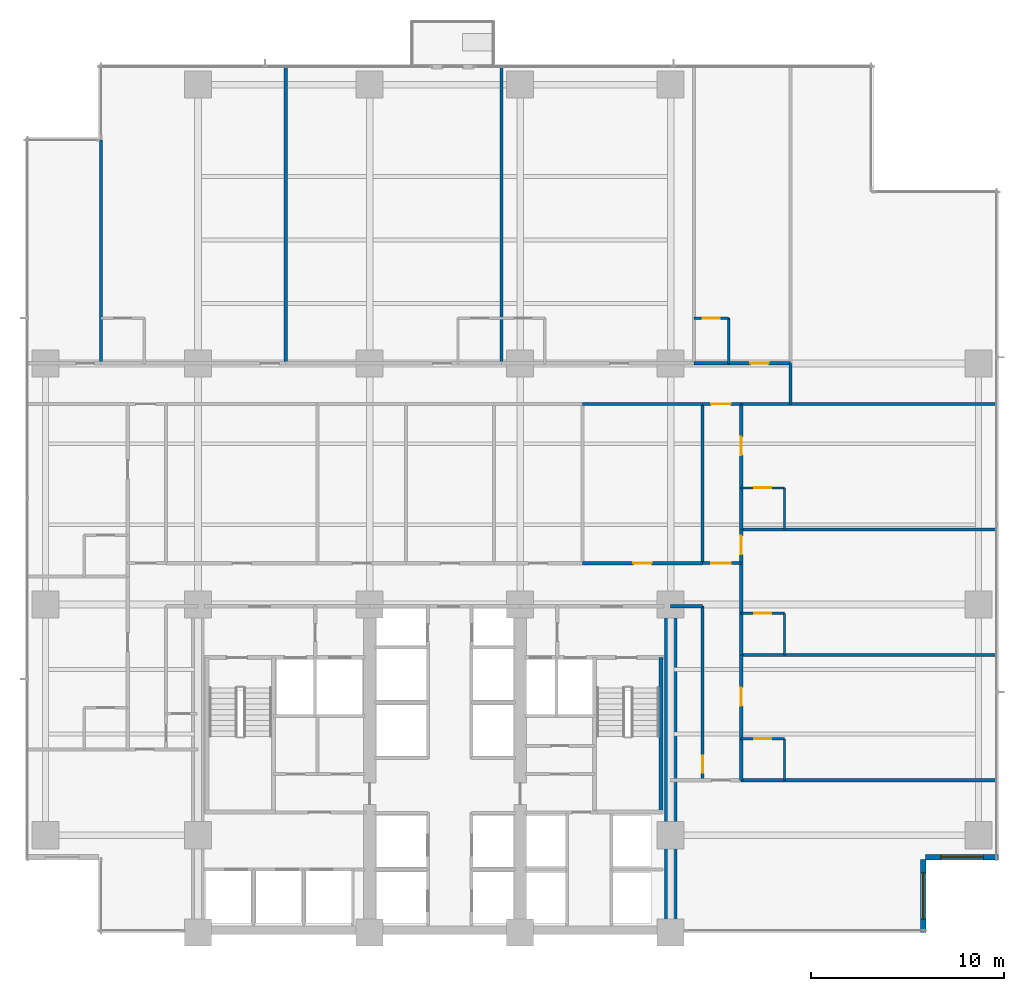
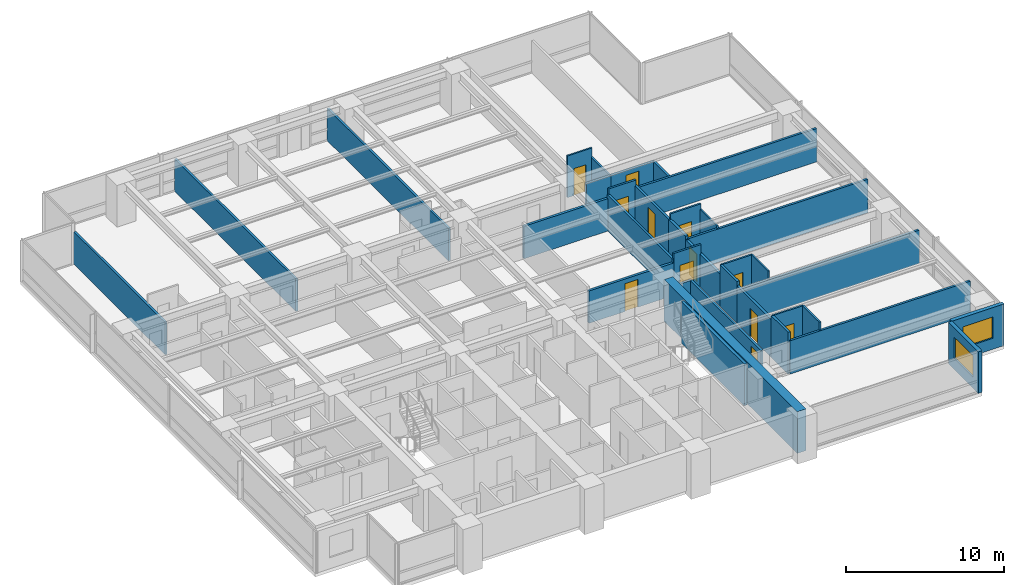
# One storey, part 10 of 17: 35 walls, 12 doors, 2 windows, 14 openings.
"""IFC4 building model written with IfcOpenShell, lengths in metres."""

import ifcopenshell
import ifcopenshell.guid

model = None  # the IFC model being written
_history = None  # IfcOwnerHistory: only IFC2X3 demands one
_inside = {}  # id of a spatial element -> (the spatial element, [elements in it])
_under = {}  # id of a project, library or spatial element -> (it, [spatial elements below it])
_declared = {}  # id of a project -> (the project, [libraries it declares])
_typed = {}  # id of a type object -> (the type object, [elements of that type])
_made_of = {}  # id of a material, layer set ... -> (it, [elements and type objects made of it])


def new_model(schema):
    """Start an empty IFC model of exactly this schema.

    Asked for "IFC4X3", IfcOpenShell would pick the latest addendum, in which some entities
    have other attributes; the version numbers below select the first issue.
    IFC2X3 requires an IfcOwnerHistory on every rooted entity: one is made here for all.
    """
    global model, _history
    if schema == "IFC4X3":
        model = ifcopenshell.file(schema_version=(4, 3, 0, 0))
    else:
        model = ifcopenshell.file(schema=schema)
    _inside.clear()
    _under.clear()
    _declared.clear()
    _typed.clear()
    _made_of.clear()
    _history = None
    if model.schema == "IFC2X3":
        org = make("IfcOrganization", Name="unknown")
        user = make(
            "IfcPersonAndOrganization",
            ThePerson=make("IfcPerson", FamilyName="unknown"),
            TheOrganization=org,
        )
        app = make(
            "IfcApplication",
            ApplicationDeveloper=org,
            Version="unknown",
            ApplicationFullName="unknown",
            ApplicationIdentifier="unknown",
        )
        _history = make(
            "IfcOwnerHistory",
            OwningUser=user,
            OwningApplication=app,
            ChangeAction="ADDED",
            CreationDate=0,
        )
    return model


def make(cls, **values):
    """One entity of the class cls with the attributes given. An attribute that is None is left unset."""
    return model.create_entity(
        cls, **{name: value for name, value in values.items() if value is not None}
    )


def rooted(cls, **values):
    """An entity with a GlobalId (a new one), such as an element, a storey or a relation."""
    return make(cls, GlobalId=ifcopenshell.guid.new(), OwnerHistory=_history, **values)


def si_unit(unit_type, name, prefix=None):
    """IfcSIUnit, for example si_unit("LENGTHUNIT", "METRE", prefix="MILLI")."""
    return make("IfcSIUnit", UnitType=unit_type, Prefix=prefix, Name=name)


def assignment(units):
    """IfcUnitAssignment: the units of a project."""
    return None if units is None else make("IfcUnitAssignment", Units=units)


def point(xyz):
    """IfcCartesianPoint."""
    return None if xyz is None else make("IfcCartesianPoint", Coordinates=xyz)


def direction(xyz):
    """IfcDirection."""
    return None if xyz is None else make("IfcDirection", DirectionRatios=xyz)


def frame(location, z_axis=None, x_axis=None):
    """IfcAxis2Placement3D, a coordinate frame: its origin and axes. An axis left out is left unset."""
    return make(
        "IfcAxis2Placement3D",
        Location=point(location),
        Axis=direction(z_axis),
        RefDirection=direction(x_axis),
    )


def frame_2d(location, x_axis=None):
    """IfcAxis2Placement2D, a coordinate frame in the plane: its origin and x axis."""
    return make(
        "IfcAxis2Placement2D", Location=point(location), RefDirection=direction(x_axis)
    )


def origin():
    """The frame at (0, 0, 0) with its axes left unset."""
    return frame((0.0, 0.0, 0.0))


def place(relative_to, where):
    """IfcLocalPlacement: puts the frame where relative to a parent placement (None: the world)."""
    return make(
        "IfcLocalPlacement", PlacementRelTo=relative_to, RelativePlacement=where
    )


def context(
    kind, dimensions, precision=None, world=None, true_north=None, identifier=None
):
    """IfcGeometricRepresentationContext, for example the 3D "Model" context."""
    return make(
        "IfcGeometricRepresentationContext",
        ContextIdentifier=identifier,
        ContextType=kind,
        CoordinateSpaceDimension=dimensions,
        Precision=precision,
        WorldCoordinateSystem=world,
        TrueNorth=true_north,
    )


def subcontext(parent, identifier, kind, view, scale=None):
    """IfcGeometricRepresentationSubContext, for example "Body" below "Model"."""
    return make(
        "IfcGeometricRepresentationSubContext",
        ContextIdentifier=identifier,
        ContextType=kind,
        ParentContext=parent,
        TargetScale=scale,
        TargetView=view,
    )


def project(units=None, contexts=None):
    """IfcProject with its units and contexts."""
    return rooted(
        "IfcProject",
        Name="project",
        RepresentationContexts=contexts,
        UnitsInContext=assignment(units),
    )


def spatial(cls, under=None, at=None, **own):
    """A site, building, storey or space (cls), placed at a placement, below another one or the project."""
    s = rooted(cls, ObjectPlacement=at, **own)
    if under is not None:
        _under.setdefault(under.id(), (under, []))[1].append(s)
    return s


def profile(cls, at=None, kind="AREA", **sizes):
    """A parametric profile (cls). Its sizes go by their IFC names, for example OverallWidth=200.0."""
    return make(cls, ProfileType=kind, Position=at, **sizes)


def rectangle(**sizes):
    """IfcRectangleProfileDef."""
    return profile("IfcRectangleProfileDef", **sizes)


def extrude(swept, where, along, depth):
    """IfcExtrudedAreaSolid: the profile swept, set in the frame where, extruded along a direction by depth."""
    return make(
        "IfcExtrudedAreaSolid",
        SweptArea=swept,
        Position=where,
        ExtrudedDirection=direction(along),
        Depth=depth,
    )


def shape(context_of_items, identifier, shape_type, items):
    """IfcShapeRepresentation: the items that make up one representation, for example the "Body"."""
    return make(
        "IfcShapeRepresentation",
        ContextOfItems=context_of_items,
        RepresentationIdentifier=identifier,
        RepresentationType=shape_type,
        Items=items,
    )


def material(Name=None, Category=None):
    """IfcMaterial."""
    return make("IfcMaterial", Name=Name, Category=Category)


def layer(
    of_material, thickness, ventilated=None, Name=None, Category=None, Priority=None
):
    """IfcMaterialLayer: one layer of a wall or slab, of a material (None: an air gap)."""
    return make(
        "IfcMaterialLayer",
        Material=of_material,
        LayerThickness=thickness,
        IsVentilated=ventilated,
        Name=Name,
        Category=Category,
        Priority=Priority,
    )


def layer_set(layers, Name=None):
    """IfcMaterialLayerSet."""
    return make("IfcMaterialLayerSet", MaterialLayers=layers, LayerSetName=Name)


def made_of(thing, what):
    """Note that an element or type object is made of a material, layer set ...; save() writes the relation."""
    if what is not None:
        _made_of.setdefault(what.id(), (what, []))[1].append(thing)
    return thing


def type_object(cls, material=None, **own):
    """A type object (cls), such as IfcWallType, which elements share."""
    return made_of(rooted(cls, **own), material)


def element(
    cls,
    number,
    at=None,
    inside=None,
    cuts=None,
    type_object=None,
    material=None,
    context=None,
    identifier="Body",
    shape_type=None,
    held_by="IfcProductDefinitionShape",
    body=None,
    shapes=None,
    **own,
):
    """One element of the class cls, such as IfcWall. Its Tag is "e" and its number.

    at: its placement. inside: the storey or other place that contains it. cuts: it is an
    opening in that element (IfcRelVoidsElement). A single representation is given by context,
    identifier, shape_type and body (its items); several are given by shapes. held_by: the class
    of the entity that holds the representations. save() writes the other relations.
    """
    e = rooted(cls, Tag="e%d" % number, ObjectPlacement=at, **own)
    if body is not None:
        shapes = [shape(context, identifier, shape_type, body)]
    if shapes is not None:
        e.Representation = make(held_by, Representations=shapes)
    if inside is not None:
        _inside.setdefault(inside.id(), (inside, []))[1].append(e)
    if cuts is not None:
        rooted(
            "IfcRelVoidsElement", RelatingBuildingElement=cuts, RelatedOpeningElement=e
        )
    if type_object is not None:
        _typed.setdefault(type_object.id(), (type_object, []))[1].append(e)
    return made_of(e, material)


def fill(opening, filler):
    """IfcRelFillsElement: the door or window that sits in an opening."""
    return rooted(
        "IfcRelFillsElement",
        RelatingOpeningElement=opening,
        RelatedBuildingElement=filler,
    )


def aggregate(whole, parts):
    """IfcRelAggregates: a whole, such as a stair, and the parts it consists of."""
    return rooted("IfcRelAggregates", RelatingObject=whole, RelatedObjects=parts)


def save(model, path):
    """Write the relations noted so far, then the file.

    IfcRelAggregates (storeys below a building ...), IfcRelContainedInSpatialStructure (elements
    in a storey), IfcRelDefinesByType, IfcRelAssociatesMaterial and IfcRelDeclares: one each for
    every whole, place, type object, material and project.
    """
    for whole, parts in _under.values():
        aggregate(whole, parts)
    for where, things in _inside.values():
        rooted(
            "IfcRelContainedInSpatialStructure",
            RelatedElements=things,
            RelatingStructure=where,
        )
    for kind, things in _typed.values():
        rooted("IfcRelDefinesByType", RelatedObjects=things, RelatingType=kind)
    for what, things in _made_of.values():
        rooted("IfcRelAssociatesMaterial", RelatedObjects=things, RelatingMaterial=what)
    for by, libraries in _declared.values():
        rooted("IfcRelDeclares", RelatingContext=by, RelatedDefinitions=libraries)
    model.write(path)


model = new_model("IFC4")

# Units and contexts
model_context = context("Model", 3, precision=1e-05, world=origin(), true_north=direction((0.0, 1.0)))
body_context = subcontext(model_context, "Body", "Model", "MODEL_VIEW")
ifc_project = project(units=[si_unit("LENGTHUNIT", "METRE"), si_unit("AREAUNIT", "SQUARE_METRE"), si_unit("VOLUMEUNIT", "CUBIC_METRE"), si_unit("PLANEANGLEUNIT", "RADIAN"), si_unit("MASSUNIT", "GRAM", prefix="KILO")], contexts=[model_context])

# Site, building, storey
site_placement = place(None, origin())
site = spatial("IfcSite", under=ifc_project, at=site_placement, CompositionType="ELEMENT")
building_placement = place(site_placement, origin())
building = spatial("IfcBuilding", under=site, at=building_placement, Name="Qalmaran Belvedere Hotel", CompositionType="ELEMENT")
storey_placement = place(building_placement, frame((0.0, 0.0, 47.39990234375)))
storey = spatial("IfcBuildingStorey", under=building, at=storey_placement, Name="L11", CompositionType="ELEMENT", Elevation=47.39990234375)

# Wall
ifc_material_1 = material(Name="Concrete C60/75", Category="concrete")
ifc_layer_1 = layer(ifc_material_1, 0.64990234375, Name="Concrete C60/75")
ifc_layer_set_1 = layer_set([ifc_layer_1], Name="Concrete C60/75")
wall_type_1 = type_object("IfcWallType", Name="WL-CORE-650-C60", PredefinedType="SHEAR", material=ifc_layer_set_1)
wall_1_placement = place(storey_placement, frame((44.800048828125, 3.5, 0.0), z_axis=(0.0, 0.0, 1.0), x_axis=(0.0, 1.0, 0.0)))
element("IfcWall", 1, at=wall_1_placement, inside=storey, type_object=wall_type_1, Name="L11 East Core Shear Wall", PredefinedType="SHEAR", context=body_context, shape_type="SweptSolid", body=[
    extrude(rectangle(XDim=16.89990234375, YDim=0.64990234375, at=frame_2d((8.449951171875, 0.0))), origin(), (0.0, 0.0, 1.0), 3.22021484375),
])

# Wall, opening, window
ifc_material_2 = material(Name="Anodised Bronze Cladding")
ifc_layer_2 = layer(ifc_material_2, 0.280029296875, Name="Anodised Bronze Cladding")
ifc_layer_set_2 = layer_set([ifc_layer_2], Name="Anodised Bronze Cladding")
wall_type_2 = type_object("IfcWallType", Name="WL-EXT-BRNZ-280", PredefinedType="SOLIDWALL", material=ifc_layer_set_2)
wall_2_placement = place(storey_placement, frame((57.8798828125, 3.5, 0.0), z_axis=(0.0, 0.0, 1.0), x_axis=(0.0, 1.0, 0.0)))
wall_2 = element("IfcWall", 2, at=wall_2_placement, inside=storey, type_object=wall_type_2, Name="L11 Corner Notch Wall 1", PredefinedType="SOLIDWALL", context=body_context, shape_type="SweptSolid", body=[
    extrude(rectangle(XDim=3.800048828125, YDim=0.280029296875, at=frame_2d((1.89990234375, 0.0))), origin(), (0.0, 0.0, 1.0), 3.22021484375),
])
opening_1_placement = place(wall_2_placement, frame((0.699951171875, 0.0, 0.85009765625)))
opening_1 = element("IfcOpeningElement", 3, at=opening_1_placement, cuts=wall_2, Name="Opening W-N24", PredefinedType="OPENING", context=body_context, shape_type="SweptSolid", body=[
    extrude(rectangle(XDim=2.39990234375, YDim=1.64990234375, at=frame_2d((1.199951171875, 0.824951171875))), frame((0.0, 0.14990234375, 0.0), z_axis=(0.0, -1.0, 0.0), x_axis=(1.0, 0.0, 0.0)), (0.0, 0.0, 1.0), 0.300048828125),
])
ifc_material_3 = material(Name="Solar-Control Double Glazing", Category="glass")
window_type_1 = type_object("IfcWindowType", Name="WN-NTC-2400X1650", PartitioningType="SINGLE_PANEL", PredefinedType="WINDOW", material=ifc_material_3)
window_1_placement = place(opening_1_placement, origin())
window_1 = element("IfcWindow", 4, at=window_1_placement, inside=storey, type_object=window_type_1, Name="L11 Corner Notch Window 1", OverallHeight=1.64990234375, OverallWidth=2.39990234375, PartitioningType="SINGLE_PANEL", PredefinedType="WINDOW", context=body_context, shape_type="SweptSolid", body=[
    extrude(rectangle(XDim=2.39990234375, YDim=1.64990234375, at=frame_2d((1.199951171875, 0.824951171875))), frame((0.0, 0.030029296875, 0.0), z_axis=(0.0, -1.0, 0.0), x_axis=(1.0, 0.0, 0.0)), (0.0, 0.0, 1.0), 0.06005859375),
])
fill(opening_1, window_1)

wall_3_placement = place(storey_placement, frame((58.0, 7.419921875, 0.0), z_axis=(0.0, 0.0, 1.0), x_axis=(1.0, 0.0, 0.0)))
wall_3 = element("IfcWall", 5, at=wall_3_placement, inside=storey, type_object=wall_type_2, Name="L11 Corner Notch Wall 2", PredefinedType="SOLIDWALL", context=body_context, shape_type="SweptSolid", body=[
    extrude(rectangle(XDim=3.800048828125, YDim=0.280029296875, at=frame_2d((1.89990234375, 0.0))), origin(), (0.0, 0.0, 1.0), 3.22021484375),
])
opening_2_placement = place(wall_3_placement, frame((0.800048828125, 0.0, 0.85009765625)))
opening_2 = element("IfcOpeningElement", 6, at=opening_2_placement, cuts=wall_3, Name="Opening W-N22", PredefinedType="OPENING", context=body_context, shape_type="SweptSolid", body=[
    extrude(rectangle(XDim=2.199951171875, YDim=1.64990234375, at=frame_2d((1.10009765625, 0.824951171875))), frame((0.0, 0.14990234375, 0.0), z_axis=(0.0, -1.0, 0.0), x_axis=(1.0, 0.0, 0.0)), (0.0, 0.0, 1.0), 0.300048828125),
])
window_type_2 = type_object("IfcWindowType", Name="WN-NTC-2200X1650", PartitioningType="SINGLE_PANEL", PredefinedType="WINDOW", material=ifc_material_3)
window_2_placement = place(opening_2_placement, origin())
window_2 = element("IfcWindow", 7, at=window_2_placement, inside=storey, type_object=window_type_2, Name="L11 Corner Notch Window 2", OverallHeight=1.64990234375, OverallWidth=2.199951171875, PartitioningType="SINGLE_PANEL", PredefinedType="WINDOW", context=body_context, shape_type="SweptSolid", body=[
    extrude(rectangle(XDim=2.199951171875, YDim=1.64990234375, at=frame_2d((1.10009765625, 0.824951171875))), frame((0.0, 0.030029296875, 0.0), z_axis=(0.0, -1.0, 0.0), x_axis=(1.0, 0.0, 0.0)), (0.0, 0.0, 1.0), 0.06005859375),
])
fill(opening_2, window_2)

# Wall, opening, door
ifc_material_4 = material(Name="Moisture-Resistant Gypsum")
ifc_layer_3 = layer(ifc_material_4, 0.1201171875, Name="Moisture-Resistant Gypsum")
ifc_layer_set_3 = layer_set([ifc_layer_3], Name="Moisture-Resistant Gypsum")
wall_type_3 = type_object("IfcWallType", Name="WL-INT-120-BATH", PredefinedType="PARTITIONING", material=ifc_layer_set_3)
wall_4_placement = place(storey_placement, frame((46.000732421875, 35.35009765625, 0.0), z_axis=(0.0, 0.0, 1.0), x_axis=(1.0, 0.0, 0.0)))
wall_4 = element("IfcWall", 8, at=wall_4_placement, inside=storey, type_object=wall_type_3, Name="L11 Partition WL-L11-NBN03", PredefinedType="PARTITIONING", context=body_context, shape_type="SweptSolid", body=[
    extrude(rectangle(XDim=1.800048828125, YDim=0.1201171875, at=frame_2d((0.89990234375, 0.0))), origin(), (0.0, 0.0, 1.0), 3.22021484375),
])
opening_3_placement = place(wall_4_placement, frame((1.33984375, 0.0, 0.0), z_axis=(0.0, 0.0, 1.0), x_axis=(-1.0, 0.0, 0.0)))
opening_3 = element("IfcOpeningElement", 9, at=opening_3_placement, cuts=wall_4, Name="Opening D-BATH", PredefinedType="OPENING", context=body_context, shape_type="SweptSolid", body=[
    extrude(rectangle(XDim=0.8798828125, YDim=2.080078125, at=frame_2d((0.43994140625, 1.0400390625))), frame((0.0, 0.070068359375, 0.0), z_axis=(0.0, -1.0, 0.0), x_axis=(1.0, 0.0, 0.0)), (0.0, 0.0, 1.0), 0.14013671875),
])
ifc_material_5 = material(Name="Engineered Oak Veneer")
door_type_1 = type_object("IfcDoorType", Name="DR-INT-BATH-880X2080", OperationType="NOTDEFINED", PredefinedType="DOOR", material=ifc_material_5)
door_1_placement = place(opening_3_placement, origin())
door_1 = element("IfcDoor", 10, at=door_1_placement, inside=storey, type_object=door_type_1, Name="L11 Ensuite Bathroom Door N04", OperationType="SINGLE_SWING_RIGHT", OverallHeight=2.080078125, OverallWidth=0.8798828125, PredefinedType="DOOR", context=body_context, shape_type="SweptSolid", body=[
    extrude(rectangle(XDim=0.8798828125, YDim=2.080078125, at=frame_2d((0.43994140625, 1.0400390625))), frame((0.0, 0.02490234375, 0.0), z_axis=(0.0, -1.0, 0.0), x_axis=(1.0, 0.0, 0.0)), (0.0, 0.0, 1.0), 0.050048828125),
])
fill(opening_3, door_1)

# Wall
wall_5_placement = place(storey_placement, frame((47.80078125, 33.0, 0.0), z_axis=(0.0, 0.0, 1.0), x_axis=(0.0, 1.0, 0.0)))
element("IfcWall", 11, at=wall_5_placement, inside=storey, type_object=wall_type_3, Name="L11 Partition WL-L11-NBS03", PredefinedType="PARTITIONING", context=body_context, shape_type="SweptSolid", body=[
    extrude(rectangle(XDim=2.35009765625, YDim=0.1201171875, at=frame_2d((1.175048828125, 0.0))), origin(), (0.0, 0.0, 1.0), 2.510009765625),
])

# Wall, opening, door
wall_6_placement = place(storey_placement, frame((48.449951171875, 13.550048828125, 0.0), z_axis=(0.0, 0.0, 1.0), x_axis=(1.0, 0.0, 0.0)))
wall_6 = element("IfcWall", 12, at=wall_6_placement, inside=storey, type_object=wall_type_3, Name="L11 Partition WL-L11-EBN00", PredefinedType="PARTITIONING", context=body_context, shape_type="SweptSolid", body=[
    extrude(rectangle(XDim=2.25, YDim=0.1201171875, at=frame_2d((1.125, 0.0))), origin(), (0.0, 0.0, 1.0), 3.22021484375),
])
opening_4_placement = place(wall_6_placement, frame((1.56494140625, 0.0, 0.0), z_axis=(0.0, 0.0, 1.0), x_axis=(-1.0, 0.0, 0.0)))
opening_4 = element("IfcOpeningElement", 13, at=opening_4_placement, cuts=wall_6, Name="Opening D-BATH", PredefinedType="OPENING", context=body_context, shape_type="SweptSolid", body=[
    extrude(rectangle(XDim=0.8798828125, YDim=2.080078125, at=frame_2d((0.43994140625, 1.0400390625))), frame((0.0, 0.070068359375, 0.0), z_axis=(0.0, -1.0, 0.0), x_axis=(1.0, 0.0, 0.0)), (0.0, 0.0, 1.0), 0.14013671875),
])
door_2_placement = place(opening_4_placement, origin())
door_2 = element("IfcDoor", 14, at=door_2_placement, inside=storey, type_object=door_type_1, Name="L11 E Ensuite Door 01", OperationType="SINGLE_SWING_RIGHT", OverallHeight=2.080078125, OverallWidth=0.8798828125, PredefinedType="DOOR", context=body_context, shape_type="SweptSolid", body=[
    extrude(rectangle(XDim=0.8798828125, YDim=2.080078125, at=frame_2d((0.43994140625, 1.0400390625))), frame((0.0, 0.02490234375, 0.0), z_axis=(0.0, -1.0, 0.0), x_axis=(1.0, 0.0, 0.0)), (0.0, 0.0, 1.0), 0.050048828125),
])
fill(opening_4, door_2)

# Wall
wall_7_placement = place(storey_placement, frame((50.699951171875, 11.39990234375, 0.0), z_axis=(0.0, 0.0, 1.0), x_axis=(0.0, 1.0, 0.0)))
element("IfcWall", 15, at=wall_7_placement, inside=storey, type_object=wall_type_3, Name="L11 Partition WL-L11-EBS00", PredefinedType="PARTITIONING", context=body_context, shape_type="SweptSolid", body=[
    extrude(rectangle(XDim=2.150146484375, YDim=0.1201171875, at=frame_2d((1.0751953125, 0.0))), origin(), (0.0, 0.0, 1.0), 3.22021484375),
])

# Wall, opening, door
wall_8_placement = place(storey_placement, frame((48.449951171875, 20.050048828125, 0.0), z_axis=(0.0, 0.0, 1.0), x_axis=(1.0, 0.0, 0.0)))
wall_8 = element("IfcWall", 16, at=wall_8_placement, inside=storey, type_object=wall_type_3, Name="L11 Partition WL-L11-EBN01", PredefinedType="PARTITIONING", context=body_context, shape_type="SweptSolid", body=[
    extrude(rectangle(XDim=2.25, YDim=0.1201171875, at=frame_2d((1.125, 0.0))), origin(), (0.0, 0.0, 1.0), 3.22021484375),
])
opening_5_placement = place(wall_8_placement, frame((1.56494140625, 0.0, 0.0), z_axis=(0.0, 0.0, 1.0), x_axis=(-1.0, 0.0, 0.0)))
opening_5 = element("IfcOpeningElement", 17, at=opening_5_placement, cuts=wall_8, Name="Opening D-BATH", PredefinedType="OPENING", context=body_context, shape_type="SweptSolid", body=[
    extrude(rectangle(XDim=0.8798828125, YDim=2.080078125, at=frame_2d((0.43994140625, 1.0400390625))), frame((0.0, 0.070068359375, 0.0), z_axis=(0.0, -1.0, 0.0), x_axis=(1.0, 0.0, 0.0)), (0.0, 0.0, 1.0), 0.14013671875),
])
door_3_placement = place(opening_5_placement, origin())
door_3 = element("IfcDoor", 18, at=door_3_placement, inside=storey, type_object=door_type_1, Name="L11 E Ensuite Door 02", OperationType="SINGLE_SWING_RIGHT", OverallHeight=2.080078125, OverallWidth=0.8798828125, PredefinedType="DOOR", context=body_context, shape_type="SweptSolid", body=[
    extrude(rectangle(XDim=0.8798828125, YDim=2.080078125, at=frame_2d((0.43994140625, 1.0400390625))), frame((0.0, 0.02490234375, 0.0), z_axis=(0.0, -1.0, 0.0), x_axis=(1.0, 0.0, 0.0)), (0.0, 0.0, 1.0), 0.050048828125),
])
fill(opening_5, door_3)

# Wall
wall_9_placement = place(storey_placement, frame((50.699951171875, 17.89990234375, 0.0), z_axis=(0.0, 0.0, 1.0), x_axis=(0.0, 1.0, 0.0)))
element("IfcWall", 19, at=wall_9_placement, inside=storey, type_object=wall_type_3, Name="L11 Partition WL-L11-EBS01", PredefinedType="PARTITIONING", context=body_context, shape_type="SweptSolid", body=[
    extrude(rectangle(XDim=2.150146484375, YDim=0.1201171875, at=frame_2d((1.0751953125, 0.0))), origin(), (0.0, 0.0, 1.0), 3.22021484375),
])

# Wall, opening, door
wall_10_placement = place(storey_placement, frame((48.449951171875, 26.550048828125, 0.0), z_axis=(0.0, 0.0, 1.0), x_axis=(1.0, 0.0, 0.0)))
wall_10 = element("IfcWall", 20, at=wall_10_placement, inside=storey, type_object=wall_type_3, Name="L11 Partition WL-L11-EBN02", PredefinedType="PARTITIONING", context=body_context, shape_type="SweptSolid", body=[
    extrude(rectangle(XDim=2.25, YDim=0.1201171875, at=frame_2d((1.125, 0.0))), origin(), (0.0, 0.0, 1.0), 3.22021484375),
])
opening_6_placement = place(wall_10_placement, frame((1.56494140625, 0.0, 0.0), z_axis=(0.0, 0.0, 1.0), x_axis=(-1.0, 0.0, 0.0)))
opening_6 = element("IfcOpeningElement", 21, at=opening_6_placement, cuts=wall_10, Name="Opening D-BATH", PredefinedType="OPENING", context=body_context, shape_type="SweptSolid", body=[
    extrude(rectangle(XDim=0.8798828125, YDim=2.080078125, at=frame_2d((0.43994140625, 1.0400390625))), frame((0.0, 0.070068359375, 0.0), z_axis=(0.0, -1.0, 0.0), x_axis=(1.0, 0.0, 0.0)), (0.0, 0.0, 1.0), 0.14013671875),
])
door_4_placement = place(opening_6_placement, origin())
door_4 = element("IfcDoor", 22, at=door_4_placement, inside=storey, type_object=door_type_1, Name="L11 E Ensuite Door 03", OperationType="SINGLE_SWING_RIGHT", OverallHeight=2.080078125, OverallWidth=0.8798828125, PredefinedType="DOOR", context=body_context, shape_type="SweptSolid", body=[
    extrude(rectangle(XDim=0.8798828125, YDim=2.080078125, at=frame_2d((0.43994140625, 1.0400390625))), frame((0.0, 0.02490234375, 0.0), z_axis=(0.0, -1.0, 0.0), x_axis=(1.0, 0.0, 0.0)), (0.0, 0.0, 1.0), 0.050048828125),
])
fill(opening_6, door_4)

# Wall
wall_11_placement = place(storey_placement, frame((50.699951171875, 24.39990234375, 0.0), z_axis=(0.0, 0.0, 1.0), x_axis=(0.0, 1.0, 0.0)))
element("IfcWall", 23, at=wall_11_placement, inside=storey, type_object=wall_type_3, Name="L11 Partition WL-L11-EBS02", PredefinedType="PARTITIONING", context=body_context, shape_type="SweptSolid", body=[
    extrude(rectangle(XDim=2.150146484375, YDim=0.1201171875, at=frame_2d((1.0751953125, 0.0))), origin(), (0.0, 0.0, 1.0), 2.7880859375),
])

# Wall, opening, door
ifc_material_6 = material(Name="Gypsum Stud Partition")
ifc_layer_4 = layer(ifc_material_6, 0.14990234375, Name="Gypsum Stud Partition")
ifc_layer_set_4 = layer_set([ifc_layer_4], Name="Gypsum Stud Partition")
wall_type_4 = type_object("IfcWallType", Name="WL-INT-150-EI60", PredefinedType="PARTITIONING", material=ifc_layer_set_4)
wall_12_placement = place(storey_placement, frame((46.449951171875, 22.64990234375, 0.0), z_axis=(0.0, 0.0, 1.0), x_axis=(1.0, 0.0, 0.0)))
wall_12 = element("IfcWall", 24, at=wall_12_placement, inside=storey, type_object=wall_type_4, Name="L11 Partition WL-L11-XCE1", PredefinedType="PARTITIONING", context=body_context, shape_type="SweptSolid", body=[
    extrude(rectangle(XDim=2.0, YDim=0.14990234375, at=frame_2d((1.0, 0.0))), origin(), (0.0, 0.0, 1.0), 3.22021484375),
])
opening_7_placement = place(wall_12_placement, frame((0.449951171875, 0.0, 0.0)))
opening_7 = element("IfcOpeningElement", 25, at=opening_7_placement, cuts=wall_12, Name="Opening FD90B", PredefinedType="OPENING", context=body_context, shape_type="SweptSolid", body=[
    extrude(rectangle(XDim=1.0, YDim=2.14990234375, at=frame_2d((0.5, 1.074951171875))), frame((0.0, 0.0849609375, 0.0), z_axis=(0.0, -1.0, 0.0), x_axis=(1.0, 0.0, 0.0)), (0.0, 0.0, 1.0), 0.169921875),
])
ifc_material_7 = material(Name="Steel S355JR", Category="steel")
door_type_2 = type_object("IfcDoorType", Name="DR-FD90B-1000X2150", OperationType="NOTDEFINED", PredefinedType="DOOR", material=ifc_material_7)
door_5_placement = place(opening_7_placement, origin())
door_5 = element("IfcDoor", 26, at=door_5_placement, inside=storey, type_object=door_type_2, Name="L11 East Corridor Smoke Door S", OperationType="SINGLE_SWING_LEFT", OverallHeight=2.14990234375, OverallWidth=1.0, PredefinedType="DOOR", context=body_context, shape_type="SweptSolid", body=[
    extrude(rectangle(XDim=1.0, YDim=2.14990234375, at=frame_2d((0.5, 1.074951171875))), frame((0.0, 0.02490234375, 0.0), z_axis=(0.0, -1.0, 0.0), x_axis=(1.0, 0.0, 0.0)), (0.0, 0.0, 1.0), 0.050048828125),
])
fill(opening_7, door_5)

wall_13_placement = place(storey_placement, frame((46.449951171875, 30.89990234375, 0.0), z_axis=(0.0, 0.0, 1.0), x_axis=(1.0, 0.0, 0.0)))
wall_13 = element("IfcWall", 27, at=wall_13_placement, inside=storey, type_object=wall_type_4, Name="L11 Partition WL-L11-XCE2", PredefinedType="PARTITIONING", context=body_context, shape_type="SweptSolid", body=[
    extrude(rectangle(XDim=2.0, YDim=0.14990234375, at=frame_2d((1.0, 0.0))), origin(), (0.0, 0.0, 1.0), 3.22021484375),
])
opening_8_placement = place(wall_13_placement, frame((0.449951171875, 0.0, 0.0)))
opening_8 = element("IfcOpeningElement", 28, at=opening_8_placement, cuts=wall_13, Name="Opening FD90B", PredefinedType="OPENING", context=body_context, shape_type="SweptSolid", body=[
    extrude(rectangle(XDim=1.0, YDim=2.14990234375, at=frame_2d((0.5, 1.074951171875))), frame((0.0, 0.0849609375, 0.0), z_axis=(0.0, -1.0, 0.0), x_axis=(1.0, 0.0, 0.0)), (0.0, 0.0, 1.0), 0.169921875),
])
door_6_placement = place(opening_8_placement, origin())
door_6 = element("IfcDoor", 29, at=door_6_placement, inside=storey, type_object=door_type_2, Name="L11 East Corridor Smoke Door N", OperationType="SINGLE_SWING_RIGHT", OverallHeight=2.14990234375, OverallWidth=1.0, PredefinedType="DOOR", context=body_context, shape_type="SweptSolid", body=[
    extrude(rectangle(XDim=1.0, YDim=2.14990234375, at=frame_2d((0.5, 1.074951171875))), frame((0.0, 0.02490234375, 0.0), z_axis=(0.0, -1.0, 0.0), x_axis=(1.0, 0.0, 0.0)), (0.0, 0.0, 1.0), 0.050048828125),
])
fill(opening_8, door_6)

ifc_layer_5 = layer(ifc_material_6, 0.159912109375, Name="Gypsum Stud Partition")
ifc_layer_set_5 = layer_set([ifc_layer_5], Name="Gypsum Stud Partition")
wall_type_5 = type_object("IfcWallType", Name="WL-INT-160-EI60", PredefinedType="PARTITIONING", material=ifc_layer_set_5)
wall_14_placement = place(storey_placement, frame((46.449951171875, 11.39990234375, 0.0), z_axis=(0.0, 0.0, 1.0), x_axis=(0.0, 1.0, 0.0)))
wall_14 = element("IfcWall", 30, at=wall_14_placement, inside=storey, type_object=wall_type_5, Name="L11 Partition WL-L11-ECL", PredefinedType="PARTITIONING", context=body_context, shape_type="SweptSolid", body=[
    extrude(rectangle(XDim=9.02001953125, YDim=0.159912109375, at=frame_2d((4.510009765625, 0.0))), origin(), (0.0, 0.0, 1.0), 2.510009765625),
])
opening_9_placement = place(wall_14_placement, frame((0.39990234375, 0.0, 0.0)))
opening_9 = element("IfcOpeningElement", 31, at=opening_9_placement, cuts=wall_14, Name="Opening FD60B", PredefinedType="OPENING", context=body_context, shape_type="SweptSolid", body=[
    extrude(rectangle(XDim=0.8798828125, YDim=2.080078125, at=frame_2d((0.43994140625, 1.0400390625))), frame((0.0, 0.08984375, 0.0), z_axis=(0.0, -1.0, 0.0), x_axis=(1.0, 0.0, 0.0)), (0.0, 0.0, 1.0), 0.179931640625),
])
door_type_3 = type_object("IfcDoorType", Name="DR-FD60B-880X2080", OperationType="NOTDEFINED", PredefinedType="DOOR", material=ifc_material_7)
door_7_placement = place(opening_9_placement, origin())
door_7 = element("IfcDoor", 32, at=door_7_placement, inside=storey, type_object=door_type_3, Name="L11 East Closet Door", OperationType="SINGLE_SWING_RIGHT", OverallHeight=2.080078125, OverallWidth=0.8798828125, PredefinedType="DOOR", context=body_context, shape_type="SweptSolid", body=[
    extrude(rectangle(XDim=0.8798828125, YDim=2.080078125, at=frame_2d((0.43994140625, 1.0400390625))), frame((0.0, 0.02490234375, 0.0), z_axis=(0.0, -1.0, 0.0), x_axis=(1.0, 0.0, 0.0)), (0.0, 0.0, 1.0), 0.050048828125),
])
fill(opening_9, door_7)

# Walls
wall_15_placement = place(storey_placement, frame((44.800048828125, 20.419921875, 0.0), z_axis=(0.0, 0.0, 1.0), x_axis=(1.0, 0.0, 0.0)))
element("IfcWall", 33, at=wall_15_placement, inside=storey, type_object=wall_type_5, Name="L11 Partition WL-L11-ECLN", PredefinedType="PARTITIONING", context=body_context, shape_type="SweptSolid", body=[
    extrude(rectangle(XDim=1.64990234375, YDim=0.159912109375, at=frame_2d((0.824951171875, 0.0))), origin(), (0.0, 0.0, 1.0), 2.510009765625),
])
wall_16_placement = place(storey_placement, frame((51.0, 30.89990234375, 0.0), z_axis=(0.0, 0.0, 1.0), x_axis=(0.0, 1.0, 0.0)))
element("IfcWall", 34, at=wall_16_placement, inside=storey, type_object=wall_type_5, Name="L11 Partition WL-L11-NCGE", PredefinedType="PARTITIONING", context=body_context, shape_type="SweptSolid", body=[
    extrude(rectangle(XDim=2.10009765625, YDim=0.159912109375, at=frame_2d((1.050048828125, 0.0))), origin(), (0.0, 0.0, 1.0), 2.510009765625),
])
wall_17_placement = place(storey_placement, frame((46.449951171875, 22.64990234375, 0.0), z_axis=(0.0, 0.0, 1.0), x_axis=(0.0, 1.0, 0.0)))
element("IfcWall", 35, at=wall_17_placement, inside=storey, type_object=wall_type_5, Name="L11 Partition WL-L11-MIDVR5", PredefinedType="PARTITIONING", context=body_context, shape_type="SweptSolid", body=[
    extrude(rectangle(XDim=8.25, YDim=0.159912109375, at=frame_2d((4.125, 0.0))), origin(), (0.0, 0.0, 1.0), 2.7880859375),
])
wall_18_placement = place(storey_placement, frame((15.27001953125, 33.0, 0.0), z_axis=(0.0, 0.0, 1.0), x_axis=(0.0, 1.0, 0.0)))
element("IfcWall", 36, at=wall_18_placement, inside=storey, type_object=wall_type_5, Name="L11 Partition WL-L11-NUL", PredefinedType="PARTITIONING", context=body_context, shape_type="SweptSolid", body=[
    extrude(rectangle(XDim=11.580078125, YDim=0.159912109375, at=frame_2d((5.7900390625, 0.0))), origin(), (0.0, 0.0, 1.0), 2.510009765625),
])
for number, where, z_axis, x_axis, name in (
    (37, (24.848388671875, 33.0, 0.0), (0.0, 0.0, 1.0), (0.0, 1.0, 0.0), "L11 Partition WL-L11-NUR00"),
    (38, (36.023193359375, 33.0, 0.0), (0.0, 0.0, 1.0), (0.0, 1.0, 0.0), "L11 Partition WL-L11-NUR01"),
):
    element("IfcWall", number, at=place(storey_placement, frame(where, z_axis=z_axis, x_axis=x_axis)), inside=storey, type_object=wall_type_5, Name=name, PredefinedType="PARTITIONING", context=body_context, shape_type="SweptSolid", body=[
        extrude(rectangle(XDim=15.3798828125, YDim=0.159912109375, at=frame_2d((7.68994140625, 0.0))), origin(), (0.0, 0.0, 1.0), 2.510009765625),
    ])
for number, where, z_axis, x_axis, name in (
    (39, (48.449951171875, 11.39990234375, 0.0), (0.0, 0.0, 1.0), (1.0, 0.0, 0.0), "L11 Partition WL-L11-EBOT"),
    (40, (48.449951171875, 17.89990234375, 0.0), (0.0, 0.0, 1.0), (1.0, 0.0, 0.0), "L11 Partition WL-L11-EU00"),
    (41, (48.449951171875, 24.39990234375, 0.0), (0.0, 0.0, 1.0), (1.0, 0.0, 0.0), "L11 Partition WL-L11-EU01"),
    (42, (48.449951171875, 30.89990234375, 0.0), (0.0, 0.0, 1.0), (1.0, 0.0, 0.0), "L11 Partition WL-L11-EU02"),
):
    element("IfcWall", number, at=place(storey_placement, frame(where, z_axis=z_axis, x_axis=x_axis)), inside=storey, type_object=wall_type_5, Name=name, PredefinedType="PARTITIONING", context=body_context, shape_type="SweptSolid", body=[
        extrude(rectangle(XDim=13.22998046875, YDim=0.159912109375, at=frame_2d((6.614990234375, 0.0))), origin(), (0.0, 0.0, 1.0), 2.5830078125),
    ])

# Wall, opening, door
ifc_layer_6 = layer(ifc_material_6, 0.179931640625, Name="Gypsum Stud Partition")
ifc_layer_set_6 = layer_set([ifc_layer_6], Name="Gypsum Stud Partition")
wall_type_6 = type_object("IfcWallType", Name="WL-INT-180-EI60", PredefinedType="PARTITIONING", material=ifc_layer_set_6)
wall_19_placement = place(storey_placement, frame((40.22509765625, 22.64990234375, 0.0), z_axis=(0.0, 0.0, 1.0), x_axis=(1.0, 0.0, 0.0)))
wall_19 = element("IfcWall", 43, at=wall_19_placement, inside=storey, type_object=wall_type_6, Name="L11 Partition WL-L11-MIDD5", PredefinedType="PARTITIONING", context=body_context, shape_type="SweptSolid", body=[
    extrude(rectangle(XDim=6.224853515625, YDim=0.179931640625, at=frame_2d((3.1123046875, 0.0))), origin(), (0.0, 0.0, 1.0), 2.510009765625),
])
opening_10_placement = place(wall_19_placement, frame((2.637451171875, 0.0, 0.0)))
opening_10 = element("IfcOpeningElement", 44, at=opening_10_placement, cuts=wall_19, Name="Opening FD60", PredefinedType="OPENING", context=body_context, shape_type="SweptSolid", body=[
    extrude(rectangle(XDim=0.949951171875, YDim=2.14990234375, at=frame_2d((0.47509765625, 1.074951171875))), frame((0.0, 0.10009765625, 0.0), z_axis=(0.0, -1.0, 0.0), x_axis=(1.0, 0.0, 0.0)), (0.0, 0.0, 1.0), 0.199951171875),
])
door_type_4 = type_object("IfcDoorType", Name="DR-FD60-950X2150", OperationType="NOTDEFINED", PredefinedType="DOOR", material=ifc_material_5)
door_8_placement = place(opening_10_placement, origin())
door_8 = element("IfcDoor", 45, at=door_8_placement, inside=storey, type_object=door_type_4, Name="L11 Tableware Store Door", OperationType="SINGLE_SWING_LEFT", OverallHeight=2.14990234375, OverallWidth=0.949951171875, PredefinedType="DOOR", context=body_context, shape_type="SweptSolid", body=[
    extrude(rectangle(XDim=0.949951171875, YDim=2.14990234375, at=frame_2d((0.47509765625, 1.074951171875))), frame((0.0, 0.02490234375, 0.0), z_axis=(0.0, -1.0, 0.0), x_axis=(1.0, 0.0, 0.0)), (0.0, 0.0, 1.0), 0.050048828125),
])
fill(opening_10, door_8)

# Walls
wall_20_placement = place(storey_placement, frame((40.22509765625, 30.89990234375, 0.0), z_axis=(0.0, 0.0, 1.0), x_axis=(1.0, 0.0, 0.0)))
element("IfcWall", 46, at=wall_20_placement, inside=storey, type_object=wall_type_6, Name="L11 Partition WL-L11-MIDO5", PredefinedType="PARTITIONING", context=body_context, shape_type="SweptSolid", body=[
    extrude(rectangle(XDim=6.224853515625, YDim=0.179931640625, at=frame_2d((3.1123046875, 0.0))), origin(), (0.0, 0.0, 1.0), 2.510009765625),
])
wall_21_placement = place(storey_placement, frame((46.000732421875, 33.0, 0.0), z_axis=(0.0, 0.0, 1.0), x_axis=(1.0, 0.0, 0.0)))
element("IfcWall", 47, at=wall_21_placement, inside=storey, type_object=wall_type_6, Name="L11 Partition WL-L11-NBC03", PredefinedType="PARTITIONING", context=body_context, shape_type="SweptSolid", body=[
    extrude(rectangle(XDim=1.800048828125, YDim=0.179931640625, at=frame_2d((0.89990234375, 0.0))), origin(), (0.0, 0.0, 1.0), 2.510009765625),
])

# Wall, opening, door
wall_22_placement = place(storey_placement, frame((47.80078125, 33.0, 0.0), z_axis=(0.0, 0.0, 1.0), x_axis=(1.0, 0.0, 0.0)))
wall_22 = element("IfcWall", 48, at=wall_22_placement, inside=storey, type_object=wall_type_6, Name="L11 Partition WL-L11-NEC03", PredefinedType="PARTITIONING", context=body_context, shape_type="SweptSolid", body=[
    extrude(rectangle(XDim=3.19921875, YDim=0.179931640625, at=frame_2d((1.599609375, 0.0))), origin(), (0.0, 0.0, 1.0), 2.510009765625),
])
opening_11_placement = place(wall_22_placement, frame((1.124755859375, 0.0, 0.0)))
opening_11 = element("IfcOpeningElement", 49, at=opening_11_placement, cuts=wall_22, Name="Opening FD60", PredefinedType="OPENING", context=body_context, shape_type="SweptSolid", body=[
    extrude(rectangle(XDim=0.949951171875, YDim=2.14990234375, at=frame_2d((0.47509765625, 1.074951171875))), frame((0.0, 0.10009765625, 0.0), z_axis=(0.0, -1.0, 0.0), x_axis=(1.0, 0.0, 0.0)), (0.0, 0.0, 1.0), 0.199951171875),
])
door_9_placement = place(opening_11_placement, origin())
door_9 = element("IfcDoor", 50, at=door_9_placement, inside=storey, type_object=door_type_4, Name="L11 Guest Entrance Door N04", OperationType="SINGLE_SWING_LEFT", OverallHeight=2.14990234375, OverallWidth=0.949951171875, PredefinedType="DOOR", context=body_context, shape_type="SweptSolid", body=[
    extrude(rectangle(XDim=0.949951171875, YDim=2.14990234375, at=frame_2d((0.47509765625, 1.074951171875))), frame((0.0, 0.02490234375, 0.0), z_axis=(0.0, -1.0, 0.0), x_axis=(1.0, 0.0, 0.0)), (0.0, 0.0, 1.0), 0.050048828125),
])
fill(opening_11, door_9)

# Wall
wall_23_placement = place(storey_placement, frame((48.449951171875, 11.39990234375, 0.0), z_axis=(0.0, 0.0, 1.0), x_axis=(0.0, 1.0, 0.0)))
element("IfcWall", 51, at=wall_23_placement, inside=storey, type_object=wall_type_6, Name="L11 Partition WL-L11-EBC00", PredefinedType="PARTITIONING", context=body_context, shape_type="SweptSolid", body=[
    extrude(rectangle(XDim=2.150146484375, YDim=0.179931640625, at=frame_2d((1.0751953125, 0.0))), origin(), (0.0, 0.0, 1.0), 3.22021484375),
])

# Wall, opening, door
wall_24_placement = place(storey_placement, frame((48.449951171875, 13.550048828125, 0.0), z_axis=(0.0, 0.0, 1.0), x_axis=(0.0, 1.0, 0.0)))
wall_24 = element("IfcWall", 52, at=wall_24_placement, inside=storey, type_object=wall_type_6, Name="L11 Partition WL-L11-EEC00", PredefinedType="PARTITIONING", context=body_context, shape_type="SweptSolid", body=[
    extrude(rectangle(XDim=4.349853515625, YDim=0.179931640625, at=frame_2d((2.1748046875, 0.0))), origin(), (0.0, 0.0, 1.0), 2.902099609375),
])
opening_12_placement = place(wall_24_placement, frame((2.64990234375, 0.0, 0.0), z_axis=(0.0, 0.0, 1.0), x_axis=(-1.0, 0.0, 0.0)))
opening_12 = element("IfcOpeningElement", 53, at=opening_12_placement, cuts=wall_24, Name="Opening FD60", PredefinedType="OPENING", context=body_context, shape_type="SweptSolid", body=[
    extrude(rectangle(XDim=0.949951171875, YDim=2.14990234375, at=frame_2d((0.47509765625, 1.074951171875))), frame((0.0, 0.10009765625, 0.0), z_axis=(0.0, -1.0, 0.0), x_axis=(1.0, 0.0, 0.0)), (0.0, 0.0, 1.0), 0.199951171875),
])
door_10_placement = place(opening_12_placement, origin())
door_10 = element("IfcDoor", 54, at=door_10_placement, inside=storey, type_object=door_type_4, Name="L11 E Wing Door 01", OperationType="SINGLE_SWING_LEFT", OverallHeight=2.14990234375, OverallWidth=0.949951171875, PredefinedType="DOOR", context=body_context, shape_type="SweptSolid", body=[
    extrude(rectangle(XDim=0.949951171875, YDim=2.14990234375, at=frame_2d((0.47509765625, 1.074951171875))), frame((0.0, 0.02490234375, 0.0), z_axis=(0.0, -1.0, 0.0), x_axis=(1.0, 0.0, 0.0)), (0.0, 0.0, 1.0), 0.050048828125),
])
fill(opening_12, door_10)

# Wall
wall_25_placement = place(storey_placement, frame((48.449951171875, 17.89990234375, 0.0), z_axis=(0.0, 0.0, 1.0), x_axis=(0.0, 1.0, 0.0)))
element("IfcWall", 55, at=wall_25_placement, inside=storey, type_object=wall_type_6, Name="L11 Partition WL-L11-EBC01", PredefinedType="PARTITIONING", context=body_context, shape_type="SweptSolid", body=[
    extrude(rectangle(XDim=2.150146484375, YDim=0.179931640625, at=frame_2d((1.0751953125, 0.0))), origin(), (0.0, 0.0, 1.0), 3.22021484375),
])

# Wall, opening, door
wall_26_placement = place(storey_placement, frame((48.449951171875, 20.050048828125, 0.0), z_axis=(0.0, 0.0, 1.0), x_axis=(0.0, 1.0, 0.0)))
wall_26 = element("IfcWall", 56, at=wall_26_placement, inside=storey, type_object=wall_type_6, Name="L11 Partition WL-L11-EEC01", PredefinedType="PARTITIONING", context=body_context, shape_type="SweptSolid", body=[
    extrude(rectangle(XDim=4.349853515625, YDim=0.179931640625, at=frame_2d((2.1748046875, 0.0))), origin(), (0.0, 0.0, 1.0), 2.510009765625),
])
opening_13_placement = place(wall_26_placement, frame((4.011474609375, 0.0, 0.0), z_axis=(0.0, 0.0, 1.0), x_axis=(-1.0, 0.0, 0.0)))
opening_13 = element("IfcOpeningElement", 57, at=opening_13_placement, cuts=wall_26, Name="Opening FD60", PredefinedType="OPENING", context=body_context, shape_type="SweptSolid", body=[
    extrude(rectangle(XDim=0.949951171875, YDim=2.14990234375, at=frame_2d((0.47509765625, 1.074951171875))), frame((0.0, 0.10009765625, 0.0), z_axis=(0.0, -1.0, 0.0), x_axis=(1.0, 0.0, 0.0)), (0.0, 0.0, 1.0), 0.199951171875),
])
door_11_placement = place(opening_13_placement, origin())
door_11 = element("IfcDoor", 58, at=door_11_placement, inside=storey, type_object=door_type_4, Name="L11 E Wing Door 02", OperationType="SINGLE_SWING_LEFT", OverallHeight=2.14990234375, OverallWidth=0.949951171875, PredefinedType="DOOR", context=body_context, shape_type="SweptSolid", body=[
    extrude(rectangle(XDim=0.949951171875, YDim=2.14990234375, at=frame_2d((0.47509765625, 1.074951171875))), frame((0.0, 0.02490234375, 0.0), z_axis=(0.0, -1.0, 0.0), x_axis=(1.0, 0.0, 0.0)), (0.0, 0.0, 1.0), 0.050048828125),
])
fill(opening_13, door_11)

# Wall
wall_27_placement = place(storey_placement, frame((48.449951171875, 24.39990234375, 0.0), z_axis=(0.0, 0.0, 1.0), x_axis=(0.0, 1.0, 0.0)))
element("IfcWall", 59, at=wall_27_placement, inside=storey, type_object=wall_type_6, Name="L11 Partition WL-L11-EBC02", PredefinedType="PARTITIONING", context=body_context, shape_type="SweptSolid", body=[
    extrude(rectangle(XDim=2.150146484375, YDim=0.179931640625, at=frame_2d((1.0751953125, 0.0))), origin(), (0.0, 0.0, 1.0), 2.7880859375),
])

# Wall, opening, door
wall_28_placement = place(storey_placement, frame((48.449951171875, 26.550048828125, 0.0), z_axis=(0.0, 0.0, 1.0), x_axis=(0.0, 1.0, 0.0)))
wall_28 = element("IfcWall", 60, at=wall_28_placement, inside=storey, type_object=wall_type_6, Name="L11 Partition WL-L11-EEC02", PredefinedType="PARTITIONING", context=body_context, shape_type="SweptSolid", body=[
    extrude(rectangle(XDim=4.349853515625, YDim=0.179931640625, at=frame_2d((2.1748046875, 0.0))), origin(), (0.0, 0.0, 1.0), 2.7880859375),
])
opening_14_placement = place(wall_28_placement, frame((2.64990234375, 0.0, 0.0), z_axis=(0.0, 0.0, 1.0), x_axis=(-1.0, 0.0, 0.0)))
opening_14 = element("IfcOpeningElement", 61, at=opening_14_placement, cuts=wall_28, Name="Opening FD60", PredefinedType="OPENING", context=body_context, shape_type="SweptSolid", body=[
    extrude(rectangle(XDim=0.949951171875, YDim=2.14990234375, at=frame_2d((0.47509765625, 1.074951171875))), frame((0.0, 0.10009765625, 0.0), z_axis=(0.0, -1.0, 0.0), x_axis=(1.0, 0.0, 0.0)), (0.0, 0.0, 1.0), 0.199951171875),
])
door_12_placement = place(opening_14_placement, origin())
door_12 = element("IfcDoor", 62, at=door_12_placement, inside=storey, type_object=door_type_4, Name="L11 E Wing Door 03", OperationType="SINGLE_SWING_LEFT", OverallHeight=2.14990234375, OverallWidth=0.949951171875, PredefinedType="DOOR", context=body_context, shape_type="SweptSolid", body=[
    extrude(rectangle(XDim=0.949951171875, YDim=2.14990234375, at=frame_2d((0.47509765625, 1.074951171875))), frame((0.0, 0.02490234375, 0.0), z_axis=(0.0, -1.0, 0.0), x_axis=(1.0, 0.0, 0.0)), (0.0, 0.0, 1.0), 0.050048828125),
])
fill(opening_14, door_12)

# Wall
ifc_material_8 = material(Name="Concrete C50/60", Category="concrete")
ifc_layer_7 = layer(ifc_material_8, 0.2099609375, Name="Concrete C50/60")
ifc_layer_set_7 = layer_set([ifc_layer_7], Name="Concrete C50/60")
wall_type_7 = type_object("IfcWallType", Name="WL-STAIR-210-C50", PredefinedType="SHEAR", material=ifc_layer_set_7)
wall_29_placement = place(storey_placement, frame((44.304931640625, 9.7451171875, 0.0), z_axis=(0.0, 0.0, 1.0), x_axis=(0.0, 1.0, 0.0)))
element("IfcWall", 63, at=wall_29_placement, inside=storey, type_object=wall_type_7, Name="L11 Stair ST-2 East Bearing Wall", PredefinedType="SHEAR", context=body_context, shape_type="SweptSolid", body=[
    extrude(rectangle(XDim=8.009765625, YDim=0.2099609375, at=frame_2d((4.0048828125, 0.0))), origin(), (0.0, 0.0, 1.0), 3.22021484375),
])

save(model, "model.ifc")
